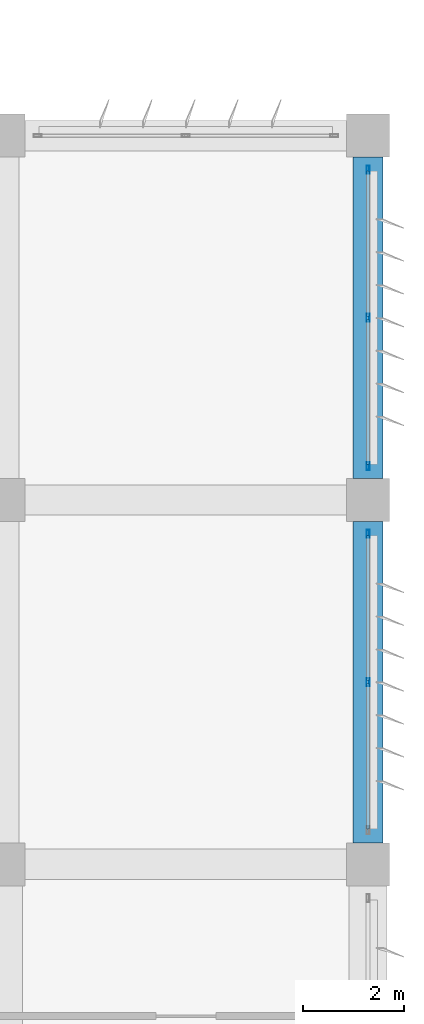
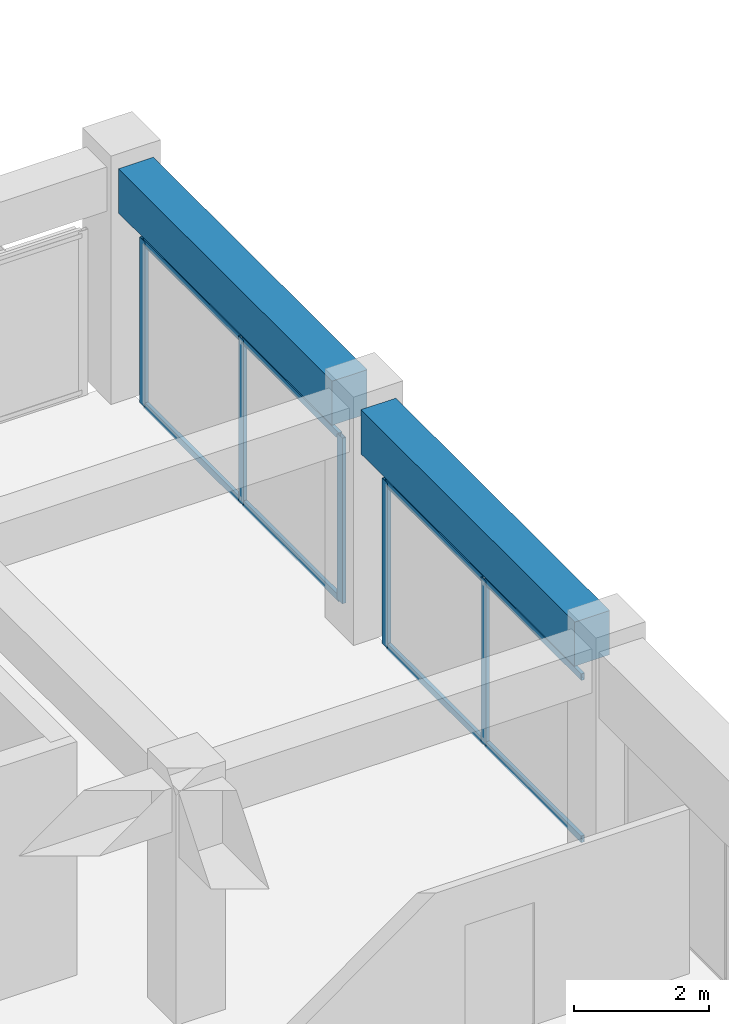
# One storey, part 29 of 56: 13 members, 2 beams, 2 elements without a shape of their own.
"""IFC4 building model written with IfcOpenShell, lengths in metres."""

from ifc_helpers import new_model, si_unit, direction, frame, origin, origin_2d, place, context, subcontext, project, spatial, rectangle, hollow_rectangle, extrude, material, material_profile, profile_set, type_object, element, aggregate, save


model = new_model("IFC4")

# Units and contexts
model_context = context("Model", 3, precision=1e-05, world=origin(), true_north=direction((0.0, 1.0)))
body_context = subcontext(model_context, "Body", "Model", "MODEL_VIEW")
ifc_project = project(units=[si_unit("LENGTHUNIT", "METRE"), si_unit("AREAUNIT", "SQUARE_METRE"), si_unit("VOLUMEUNIT", "CUBIC_METRE"), si_unit("PLANEANGLEUNIT", "RADIAN"), si_unit("MASSUNIT", "GRAM", prefix="KILO")], contexts=[model_context])

# Site, building, storey
site_placement = place(None, origin())
site = spatial("IfcSite", under=ifc_project, at=site_placement, CompositionType="ELEMENT")
building_placement = place(site_placement, origin())
building = spatial("IfcBuilding", under=site, at=building_placement, Name="Kazehaya Institute of Natural Sciences", CompositionType="ELEMENT")
storey_placement = place(building_placement, frame((0.0, 0.0, 24.300048828125)))
storey = spatial("IfcBuildingStorey", under=building, at=storey_placement, Name="L05", CompositionType="ELEMENT", Elevation=24.300048828125)

# Beams
ifc_material_1 = material(Name="Concrete Fc36", Category="concrete")
ifc_material_profile_1 = material_profile(ifc_material_1, rectangle(XDim=0.60009765625, YDim=0.800048828125, at=origin_2d()), Name="RC-600x800")
ifc_profile_set_1 = profile_set([ifc_material_profile_1], Name="Concrete Fc36")
beam_type = type_object("IfcBeamType", Name="BM-G-600x800", PredefinedType="BEAM", material=ifc_profile_set_1)
for number, where, z_axis, x_axis, name in (
    (1, (119.39990234375, 21.625, 3.829833984375), (0.0, 1.0, 0.0), (-1.0, 0.0, 0.0), "L05 primary Y girder BMY-L05-1194-212"),
    (2, (119.39990234375, 28.824951171875, 3.829833984375), (0.0, 1.0, 0.0), (-1.0, 0.0, 0.0), "L05 primary Y girder BMY-L05-1194-284"),
):
    element("IfcBeam", number, at=place(storey_placement, frame(where, z_axis=z_axis, x_axis=x_axis)), inside=storey, type_object=beam_type, Name=name, PredefinedType="BEAM", context=body_context, shape_type="SweptSolid", body=[
        extrude(rectangle(XDim=0.60009765625, YDim=0.800048828125, at=origin_2d()), origin(), (0.0, 0.0, 1.0), 6.35009765625),
    ])

# Curtain wall, members
ifc_material_2 = material(Name="Aluminium alloy A6063S-T5", Category="aluminium")
curtain_wall_type = type_object("IfcCurtainWallType", Name="CW-SYS-10", PredefinedType="NOTDEFINED", material=ifc_material_2)
curtain_wall_1_placement = place(storey_placement, origin())
curtain_wall_1 = element("IfcCurtainWall", 3, at=curtain_wall_1_placement, inside=storey, type_object=curtain_wall_type, Name="L05 unitised curtain wall CW-L05-117", PredefinedType="NOTDEFINED")
ifc_material_profile_2 = material_profile(ifc_material_2, hollow_rectangle(XDim=0.06005859375, YDim=0.159912109375, WallThickness=0.00390625, at=origin_2d()), Name="ALU-60x160x4")
ifc_profile_set_2 = profile_set([ifc_material_profile_2], Name="Aluminium alloy A6063S-T5")
member_type_1 = type_object("IfcMemberType", Name="CWM-160", PredefinedType="MULLION", material=ifc_profile_set_2)
member_1_placement = place(storey_placement, frame((119.39990234375, 27.72998046875, 0.0), z_axis=(0.0, 0.0, 1.0), x_axis=(1.0, 0.0, 0.0)))
member_1 = element("IfcMember", 4, at=member_1_placement, type_object=member_type_1, Name="CW10 mullion 1", PredefinedType="MULLION", context=body_context, shape_type="SweptSolid", body=[
    extrude(hollow_rectangle(XDim=0.06005859375, YDim=0.159912109375, WallThickness=0.00390625, at=origin_2d()), origin(), (0.0, 0.0, 1.0), 3.0),
])
member_2_placement = place(storey_placement, frame((119.39990234375, 24.800048828125, 0.0), z_axis=(0.0, 0.0, 1.0), x_axis=(1.0, 0.0, 0.0)))
member_2 = element("IfcMember", 5, at=member_2_placement, type_object=member_type_1, Name="CW10 mullion 2", PredefinedType="MULLION", context=body_context, shape_type="SweptSolid", body=[
    extrude(hollow_rectangle(XDim=0.06005859375, YDim=0.159912109375, WallThickness=0.00390625, at=origin_2d()), origin(), (0.0, 0.0, 1.0), 3.0),
])

curtain_wall_2_placement = place(storey_placement, origin())
curtain_wall_2 = element("IfcCurtainWall", 6, at=curtain_wall_2_placement, inside=storey, type_object=curtain_wall_type, Name="L05 unitised curtain wall CW-L05-119", PredefinedType="NOTDEFINED")
member_3_placement = place(storey_placement, frame((119.39990234375, 34.929931640625, 0.0), z_axis=(0.0, 0.0, 1.0), x_axis=(1.0, 0.0, 0.0)))
member_3 = element("IfcMember", 7, at=member_3_placement, type_object=member_type_1, Name="CW10 mullion 1", PredefinedType="MULLION", context=body_context, shape_type="SweptSolid", body=[
    extrude(hollow_rectangle(XDim=0.06005859375, YDim=0.159912109375, WallThickness=0.00390625, at=origin_2d()), origin(), (0.0, 0.0, 1.0), 3.0),
])
member_4_placement = place(storey_placement, frame((119.39990234375, 32.0, 0.0), z_axis=(0.0, 0.0, 1.0), x_axis=(1.0, 0.0, 0.0)))
member_4 = element("IfcMember", 8, at=member_4_placement, type_object=member_type_1, Name="CW10 mullion 2", PredefinedType="MULLION", context=body_context, shape_type="SweptSolid", body=[
    extrude(hollow_rectangle(XDim=0.06005859375, YDim=0.159912109375, WallThickness=0.00390625, at=origin_2d()), origin(), (0.0, 0.0, 1.0), 3.0),
])
member_5_placement = place(storey_placement, frame((119.39990234375, 29.070068359375, 0.0), z_axis=(0.0, 0.0, 1.0), x_axis=(1.0, 0.0, 0.0)))
member_5 = element("IfcMember", 9, at=member_5_placement, type_object=member_type_1, Name="CW10 mullion 3", PredefinedType="MULLION", context=body_context, shape_type="SweptSolid", body=[
    extrude(hollow_rectangle(XDim=0.06005859375, YDim=0.159912109375, WallThickness=0.00390625, at=origin_2d()), origin(), (0.0, 0.0, 1.0), 3.0),
])

# Member
ifc_material_profile_3 = material_profile(ifc_material_2, hollow_rectangle(XDim=0.06005859375, YDim=0.1201171875, WallThickness=0.00341796875, at=origin_2d()), Name="ALU-60x120x3.5")
ifc_profile_set_3 = profile_set([ifc_material_profile_3], Name="Aluminium alloy A6063S-T5")
member_type_2 = type_object("IfcMemberType", Name="CWT-120", PredefinedType="USERDEFINED", material=ifc_profile_set_3)
member_6_placement = place(storey_placement, frame((119.39990234375, 27.699951171875, 0.030029296875), z_axis=(0.0, -1.0, 0.0), x_axis=(1.0, 0.0, 0.0)))
member_6 = element("IfcMember", 10, at=member_6_placement, type_object=member_type_2, Name="CW10 transom 1.1", ObjectType="TRANSOM", PredefinedType="USERDEFINED", context=body_context, shape_type="SweptSolid", body=[
    extrude(hollow_rectangle(XDim=0.06005859375, YDim=0.1201171875, WallThickness=0.00341796875, at=origin_2d()), origin(), (0.0, 0.0, 1.0), 2.869873046875),
])

member_7_placement = place(storey_placement, frame((119.39990234375, 27.699951171875, 2.969970703125), z_axis=(0.0, -1.0, 0.0), x_axis=(1.0, 0.0, 0.0)))
member_7 = element("IfcMember", 11, at=member_7_placement, type_object=member_type_2, Name="CW10 transom 1.2", ObjectType="TRANSOM", PredefinedType="USERDEFINED", context=body_context, shape_type="SweptSolid", body=[
    extrude(hollow_rectangle(XDim=0.06005859375, YDim=0.1201171875, WallThickness=0.00341796875, at=origin_2d()), origin(), (0.0, 0.0, 1.0), 2.869873046875),
])

member_8_placement = place(storey_placement, frame((119.39990234375, 24.77001953125, 0.030029296875), z_axis=(0.0, -1.0, 0.0), x_axis=(1.0, 0.0, 0.0)))
member_8 = element("IfcMember", 12, at=member_8_placement, type_object=member_type_2, Name="CW10 transom 2.1", ObjectType="TRANSOM", PredefinedType="USERDEFINED", context=body_context, shape_type="SweptSolid", body=[
    extrude(hollow_rectangle(XDim=0.06005859375, YDim=0.1201171875, WallThickness=0.00341796875, at=origin_2d()), origin(), (0.0, 0.0, 1.0), 2.8701171875),
])

member_9_placement = place(storey_placement, frame((119.39990234375, 24.77001953125, 2.969970703125), z_axis=(0.0, -1.0, 0.0), x_axis=(1.0, 0.0, 0.0)))
member_9 = element("IfcMember", 13, at=member_9_placement, type_object=member_type_2, Name="CW10 transom 2.2", ObjectType="TRANSOM", PredefinedType="USERDEFINED", context=body_context, shape_type="SweptSolid", body=[
    extrude(hollow_rectangle(XDim=0.06005859375, YDim=0.1201171875, WallThickness=0.00341796875, at=origin_2d()), origin(), (0.0, 0.0, 1.0), 2.8701171875),
])

aggregate(curtain_wall_1, [member_1, member_2, member_6, member_7, member_8, member_9])

member_10_placement = place(storey_placement, frame((119.39990234375, 34.89990234375, 0.030029296875), z_axis=(0.0, -1.0, 0.0), x_axis=(1.0, 0.0, 0.0)))
member_10 = element("IfcMember", 14, at=member_10_placement, type_object=member_type_2, Name="CW10 transom 1.1", ObjectType="TRANSOM", PredefinedType="USERDEFINED", context=body_context, shape_type="SweptSolid", body=[
    extrude(hollow_rectangle(XDim=0.06005859375, YDim=0.1201171875, WallThickness=0.00341796875, at=origin_2d()), origin(), (0.0, 0.0, 1.0), 2.869873046875),
])

member_11_placement = place(storey_placement, frame((119.39990234375, 34.89990234375, 2.969970703125), z_axis=(0.0, -1.0, 0.0), x_axis=(1.0, 0.0, 0.0)))
member_11 = element("IfcMember", 15, at=member_11_placement, type_object=member_type_2, Name="CW10 transom 1.2", ObjectType="TRANSOM", PredefinedType="USERDEFINED", context=body_context, shape_type="SweptSolid", body=[
    extrude(hollow_rectangle(XDim=0.06005859375, YDim=0.1201171875, WallThickness=0.00341796875, at=origin_2d()), origin(), (0.0, 0.0, 1.0), 2.869873046875),
])

member_12_placement = place(storey_placement, frame((119.39990234375, 31.969970703125, 0.030029296875), z_axis=(0.0, -1.0, 0.0), x_axis=(1.0, 0.0, 0.0)))
member_12 = element("IfcMember", 16, at=member_12_placement, type_object=member_type_2, Name="CW10 transom 2.1", ObjectType="TRANSOM", PredefinedType="USERDEFINED", context=body_context, shape_type="SweptSolid", body=[
    extrude(hollow_rectangle(XDim=0.06005859375, YDim=0.1201171875, WallThickness=0.00341796875, at=origin_2d()), origin(), (0.0, 0.0, 1.0), 2.869873046875),
])

member_13_placement = place(storey_placement, frame((119.39990234375, 31.969970703125, 2.969970703125), z_axis=(0.0, -1.0, 0.0), x_axis=(1.0, 0.0, 0.0)))
member_13 = element("IfcMember", 17, at=member_13_placement, type_object=member_type_2, Name="CW10 transom 2.2", ObjectType="TRANSOM", PredefinedType="USERDEFINED", context=body_context, shape_type="SweptSolid", body=[
    extrude(hollow_rectangle(XDim=0.06005859375, YDim=0.1201171875, WallThickness=0.00341796875, at=origin_2d()), origin(), (0.0, 0.0, 1.0), 2.869873046875),
])

aggregate(curtain_wall_2, [member_3, member_4, member_5, member_10, member_11, member_12, member_13])

save(model, "model.ifc")
